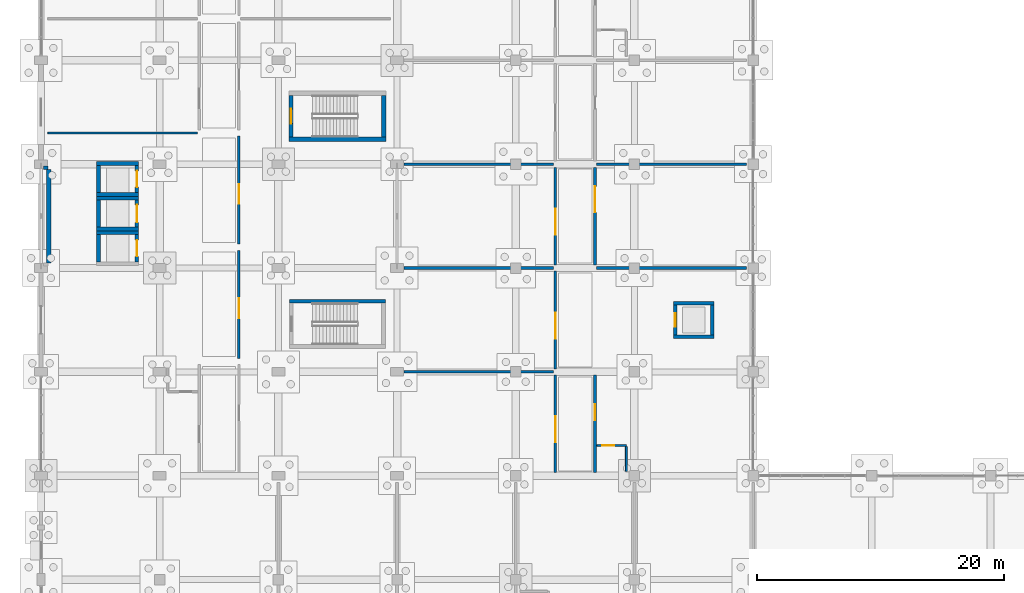
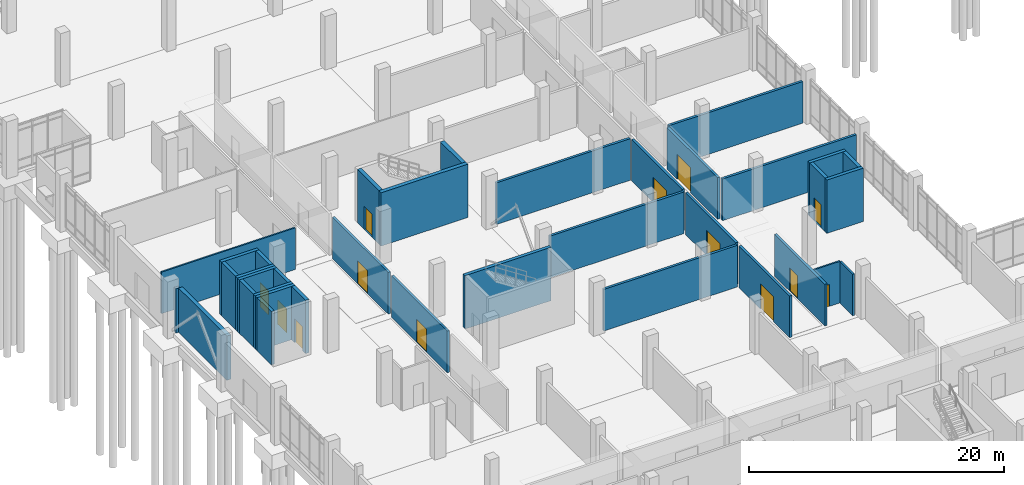
# One storey, part 104 of 136: 36 walls, 13 doors, 13 openings.
"""IFC4 building model written with IfcOpenShell, lengths in metres."""

from ifc_helpers import new_model, si_unit, direction, frame, frame_2d, origin, place, context, subcontext, project, spatial, rectangle, extrude, material, layer, layer_set, type_object, element, fill, save


model = new_model("IFC4")

# Units and contexts
model_context = context("Model", 3, precision=1e-05, world=origin(), true_north=direction((0.0, 1.0)))
body_context = subcontext(model_context, "Body", "Model", "MODEL_VIEW")
ifc_project = project(units=[si_unit("LENGTHUNIT", "METRE"), si_unit("AREAUNIT", "SQUARE_METRE"), si_unit("VOLUMEUNIT", "CUBIC_METRE"), si_unit("PLANEANGLEUNIT", "RADIAN"), si_unit("MASSUNIT", "GRAM", prefix="KILO")], contexts=[model_context])

# Site, building, storey
site_placement = place(None, origin())
site = spatial("IfcSite", under=ifc_project, at=site_placement, CompositionType="ELEMENT")
building_placement = place(site_placement, origin())
building = spatial("IfcBuilding", under=site, at=building_placement, Name="Oolite Switchyard Hospital", CompositionType="ELEMENT")
storey_placement = place(building_placement, origin())
storey = spatial("IfcBuildingStorey", under=building, at=storey_placement, Name="L00", CompositionType="ELEMENT", Elevation=0.0)

# Walls
ifc_material_1 = material(Name="Precast oolitic limestone architectural concrete C40/50", Category="masonry")
ifc_layer_1 = layer(ifc_material_1, 0.260009765625)
ifc_layer_set_1 = layer_set([ifc_layer_1], Name="WAL-EXT-260")
wall_type_1 = type_object("IfcWallType", Name="WAL-EXT-260", PredefinedType="SOLIDWALL", material=ifc_layer_set_1)
wall_1_placement = place(storey_placement, frame((0.199951171875, 58.52001953125, 0.0), z_axis=(0.0, 0.0, 1.0), x_axis=(1.0, 0.0, 0.0)))
element("IfcWall", 1, at=wall_1_placement, inside=storey, type_object=wall_type_1, Name="L00 Brace Alcove Cheek Wall 46", PredefinedType="SOLIDWALL", context=body_context, shape_type="SweptSolid", body=[
    extrude(rectangle(XDim=0.360107421875, YDim=0.260009765625, at=frame_2d((0.18017578125, 0.0))), origin(), (0.0, 0.0, 1.0), 4.239990234375),
])
ifc_layer_2 = layer(ifc_material_1, 0.360107421875)
ifc_layer_set_2 = layer_set([ifc_layer_2], Name="WAL-EXT-360")
wall_type_2 = type_object("IfcWallType", Name="WAL-EXT-360", PredefinedType="SOLIDWALL", material=ifc_layer_set_2)
wall_2_placement = place(storey_placement, frame((0.6201171875, 50.820068359375, 0.0), z_axis=(0.0, 0.0, 1.0), x_axis=(0.0, 1.0, 0.0)))
element("IfcWall", 2, at=wall_2_placement, inside=storey, type_object=wall_type_2, Name="L00 Exterior Spandrel Wall 47", PredefinedType="SOLIDWALL", context=body_context, shape_type="SweptSolid", body=[
    extrude(rectangle(XDim=7.559814453125, YDim=0.360107421875, at=frame_2d((3.77978515625, 0.0))), origin(), (0.0, 0.0, 1.0), 4.239990234375),
])
ifc_material_2 = material(Name="Moisture-resistant gypsum board on steel studs", Category="steel")
ifc_layer_3 = layer(ifc_material_2, 0.135009765625)
ifc_layer_set_3 = layer_set([ifc_layer_3], Name="WAL-PART-135")
wall_type_3 = type_object("IfcWallType", Name="WAL-PART-135", PredefinedType="PARTITIONING", material=ifc_layer_set_3)
wall_3_placement = place(storey_placement, frame((0.550048828125, 61.320068359375, 0.0), z_axis=(0.0, 0.0, 1.0), x_axis=(1.0, 0.0, 0.0)))
element("IfcWall", 3, at=wall_3_placement, inside=storey, type_object=wall_type_3, Name="L00 Interior Partition 93", PredefinedType="PARTITIONING", context=body_context, shape_type="SweptSolid", body=[
    extrude(rectangle(XDim=12.099853515625, YDim=0.135009765625, at=frame_2d((6.0498046875, 0.0))), origin(), (0.0, 0.0, 1.0), 3.97998046875),
])

# Wall, opening, door
ifc_layer_4 = layer(ifc_material_2, 0.14990234375)
ifc_layer_set_4 = layer_set([ifc_layer_4], Name="WAL-PART-150")
wall_type_4 = type_object("IfcWallType", Name="WAL-PART-150", PredefinedType="PARTITIONING", material=ifc_layer_set_4)
wall_4_placement = place(storey_placement, frame((44.949951171875, 36.050048828125, 0.0), z_axis=(0.0, 0.0, 1.0), x_axis=(1.0, 0.0, 0.0)))
wall_4 = element("IfcWall", 4, at=wall_4_placement, inside=storey, type_object=wall_type_4, Name="L00 Interior Partition 29", PredefinedType="PARTITIONING", context=body_context, shape_type="SweptSolid", body=[
    extrude(rectangle(XDim=2.400146484375, YDim=0.14990234375, at=frame_2d((1.2001953125, 0.0))), origin(), (0.0, 0.0, 1.0), 3.97998046875),
])
opening_1_placement = place(wall_4_placement, frame((0.449951171875, 0.0, 0.0)))
opening_1 = element("IfcOpeningElement", 5, at=opening_1_placement, cuts=wall_4, Name="Opening D-0021", PredefinedType="OPENING", context=body_context, shape_type="SweptSolid", body=[
    extrude(rectangle(XDim=0.949951171875, YDim=2.10009765625, at=frame_2d((0.47509765625, 1.050048828125))), frame((0.0, 0.0849609375, 0.0), z_axis=(0.0, -1.0, 0.0), x_axis=(1.0, 0.0, 0.0)), (0.0, 0.0, 1.0), 0.169921875),
])
ifc_material_3 = material(Name="Solid-core antimicrobial hardwood leaf in steel frame", Category="steel")
door_type_1 = type_object("IfcDoorType", Name="DR-BATH-095X210", OperationType="NOTDEFINED", PredefinedType="DOOR", material=ifc_material_3)
door_1_placement = place(opening_1_placement, origin())
door_1 = element("IfcDoor", 6, at=door_1_placement, inside=storey, type_object=door_type_1, Name="L00 Interior Door D-0021", OperationType="SINGLE_SWING_LEFT", OverallHeight=2.10009765625, OverallWidth=0.949951171875, PredefinedType="DOOR", context=body_context, shape_type="SweptSolid", body=[
    extrude(rectangle(XDim=0.949951171875, YDim=2.10009765625, at=frame_2d((0.47509765625, 1.050048828125))), frame((0.0, 0.02490234375, 0.0), z_axis=(0.0, -1.0, 0.0), x_axis=(1.0, 0.0, 0.0)), (0.0, 0.0, 1.0), 0.050048828125),
])
fill(opening_1, door_1)

# Wall
wall_5_placement = place(storey_placement, frame((47.35009765625, 33.949951171875, 0.0), z_axis=(0.0, 0.0, 1.0), x_axis=(0.0, 1.0, 0.0)))
element("IfcWall", 7, at=wall_5_placement, inside=storey, type_object=wall_type_4, Name="L00 Interior Partition 30", PredefinedType="PARTITIONING", context=body_context, shape_type="SweptSolid", body=[
    extrude(rectangle(XDim=2.0, YDim=0.14990234375, at=frame_2d((1.0, 0.0))), origin(), (0.0, 0.0, 1.0), 3.97998046875),
])

# Wall, opening, door
ifc_material_4 = material(Name="Precast concrete C40/50", Category="concrete")
ifc_layer_5 = layer(ifc_material_4, 0.219970703125)
ifc_layer_set_5 = layer_set([ifc_layer_5], Name="WAL-RAD-220")
wall_type_5 = type_object("IfcWallType", Name="WAL-RAD-220", PredefinedType="PARTITIONING", material=ifc_layer_set_5)
wall_6_placement = place(storey_placement, frame((41.60009765625, 33.85009765625, 0.0), z_axis=(0.0, 0.0, 1.0), x_axis=(0.0, 1.0, 0.0)))
wall_6 = element("IfcWall", 8, at=wall_6_placement, inside=storey, type_object=wall_type_5, Name="L00 Interior Partition 27", PredefinedType="PARTITIONING", context=body_context, shape_type="SweptSolid", body=[
    extrude(rectangle(XDim=7.89990234375, YDim=0.219970703125, at=frame_2d((3.949951171875, 0.0))), origin(), (0.0, 0.0, 1.0), 3.97998046875),
])
opening_2_placement = place(wall_6_placement, frame((2.449951171875, 0.0, 0.0)))
opening_2 = element("IfcOpeningElement", 9, at=opening_2_placement, cuts=wall_6, Name="Opening D-0019", PredefinedType="OPENING", context=body_context, shape_type="SweptSolid", body=[
    extrude(rectangle(XDim=2.10009765625, YDim=2.39990234375, at=frame_2d((1.050048828125, 1.199951171875))), frame((0.0, 0.1201171875, 0.0), z_axis=(0.0, -1.0, 0.0), x_axis=(1.0, 0.0, 0.0)), (0.0, 0.0, 1.0), 0.239990234375),
])
ifc_material_5 = material(Name="Hollow metal fire-rated steel door assembly", Category="steel")
door_type_2 = type_object("IfcDoorType", Name="DR-IMG-210X240", OperationType="NOTDEFINED", PredefinedType="DOOR", material=ifc_material_5)
door_2_placement = place(opening_2_placement, origin())
door_2 = element("IfcDoor", 10, at=door_2_placement, inside=storey, type_object=door_type_2, Name="L00 Interior Door D-0019", OperationType="DOUBLE_DOOR_SINGLE_SWING", OverallHeight=2.39990234375, OverallWidth=2.10009765625, PredefinedType="DOOR", context=body_context, shape_type="SweptSolid", body=[
    extrude(rectangle(XDim=2.10009765625, YDim=2.39990234375, at=frame_2d((1.050048828125, 1.199951171875))), frame((0.0, 0.02490234375, 0.0), z_axis=(0.0, -1.0, 0.0), x_axis=(1.0, 0.0, 0.0)), (0.0, 0.0, 1.0), 0.050048828125),
])
fill(opening_2, door_2)

wall_7_placement = place(storey_placement, frame((44.800048828125, 33.85009765625, 0.0), z_axis=(0.0, 0.0, 1.0), x_axis=(0.0, 1.0, 0.0)))
wall_7 = element("IfcWall", 11, at=wall_7_placement, inside=storey, type_object=wall_type_5, Name="L00 Interior Partition 28", PredefinedType="PARTITIONING", context=body_context, shape_type="SweptSolid", body=[
    extrude(rectangle(XDim=7.89990234375, YDim=0.219970703125, at=frame_2d((3.949951171875, 0.0))), origin(), (0.0, 0.0, 1.0), 3.97998046875),
])
opening_3_placement = place(wall_7_placement, frame((4.25, 0.0, 0.0)))
opening_3 = element("IfcOpeningElement", 12, at=opening_3_placement, cuts=wall_7, Name="Opening D-0020", PredefinedType="OPENING", context=body_context, shape_type="SweptSolid", body=[
    extrude(rectangle(XDim=1.300048828125, YDim=2.199951171875, at=frame_2d((0.64990234375, 1.10009765625))), frame((0.0, 0.1201171875, 0.0), z_axis=(0.0, -1.0, 0.0), x_axis=(1.0, 0.0, 0.0)), (0.0, 0.0, 1.0), 0.239990234375),
])
door_type_3 = type_object("IfcDoorType", Name="DR-WARD-130X220", OperationType="NOTDEFINED", PredefinedType="DOOR", material=ifc_material_3)
door_3_placement = place(opening_3_placement, origin())
door_3 = element("IfcDoor", 13, at=door_3_placement, inside=storey, type_object=door_type_3, Name="L00 Interior Door D-0020", OperationType="SINGLE_SWING_RIGHT", OverallHeight=2.199951171875, OverallWidth=1.300048828125, PredefinedType="DOOR", context=body_context, shape_type="SweptSolid", body=[
    extrude(rectangle(XDim=1.300048828125, YDim=2.199951171875, at=frame_2d((0.64990234375, 1.10009765625))), frame((0.0, 0.02490234375, 0.0), z_axis=(0.0, -1.0, 0.0), x_axis=(1.0, 0.0, 0.0)), (0.0, 0.0, 1.0), 0.050048828125),
])
fill(opening_3, door_3)

wall_8_placement = place(storey_placement, frame((41.60009765625, 42.25, 0.0), z_axis=(0.0, 0.0, 1.0), x_axis=(0.0, 1.0, 0.0)))
wall_8 = element("IfcWall", 14, at=wall_8_placement, inside=storey, type_object=wall_type_5, Name="L00 Interior Partition 31", PredefinedType="PARTITIONING", context=body_context, shape_type="SweptSolid", body=[
    extrude(rectangle(XDim=7.89990234375, YDim=0.219970703125, at=frame_2d((3.949951171875, 0.0))), origin(), (0.0, 0.0, 1.0), 3.97998046875),
])
opening_4_placement = place(wall_8_placement, frame((2.449951171875, 0.0, 0.0)))
opening_4 = element("IfcOpeningElement", 15, at=opening_4_placement, cuts=wall_8, Name="Opening D-0022", PredefinedType="OPENING", context=body_context, shape_type="SweptSolid", body=[
    extrude(rectangle(XDim=2.10009765625, YDim=2.39990234375, at=frame_2d((1.050048828125, 1.199951171875))), frame((0.0, 0.1201171875, 0.0), z_axis=(0.0, -1.0, 0.0), x_axis=(1.0, 0.0, 0.0)), (0.0, 0.0, 1.0), 0.239990234375),
])
door_4_placement = place(opening_4_placement, origin())
door_4 = element("IfcDoor", 16, at=door_4_placement, inside=storey, type_object=door_type_2, Name="L00 Interior Door D-0022", OperationType="DOUBLE_DOOR_SINGLE_SWING", OverallHeight=2.39990234375, OverallWidth=2.10009765625, PredefinedType="DOOR", context=body_context, shape_type="SweptSolid", body=[
    extrude(rectangle(XDim=2.10009765625, YDim=2.39990234375, at=frame_2d((1.050048828125, 1.199951171875))), frame((0.0, 0.02490234375, 0.0), z_axis=(0.0, -1.0, 0.0), x_axis=(1.0, 0.0, 0.0)), (0.0, 0.0, 1.0), 0.050048828125),
])
fill(opening_4, door_4)

# Wall
wall_9_placement = place(storey_placement, frame((29.35009765625, 42.0, 0.0), z_axis=(0.0, 0.0, 1.0), x_axis=(1.0, 0.0, 0.0)))
element("IfcWall", 17, at=wall_9_placement, inside=storey, type_object=wall_type_5, Name="L00 Interior Partition 32", PredefinedType="PARTITIONING", context=body_context, shape_type="SweptSolid", body=[
    extrude(rectangle(XDim=12.099853515625, YDim=0.219970703125, at=frame_2d((6.0498046875, 0.0))), origin(), (0.0, 0.0, 1.0), 3.97998046875),
])

# Wall, opening, door
wall_10_placement = place(storey_placement, frame((41.60009765625, 50.64990234375, 0.0), z_axis=(0.0, 0.0, 1.0), x_axis=(0.0, 1.0, 0.0)))
wall_10 = element("IfcWall", 18, at=wall_10_placement, inside=storey, type_object=wall_type_5, Name="L00 Interior Partition 33", PredefinedType="PARTITIONING", context=body_context, shape_type="SweptSolid", body=[
    extrude(rectangle(XDim=7.900146484375, YDim=0.219970703125, at=frame_2d((3.9501953125, 0.0))), origin(), (0.0, 0.0, 1.0), 3.97998046875),
])
opening_5_placement = place(wall_10_placement, frame((2.449951171875, 0.0, 0.0)))
opening_5 = element("IfcOpeningElement", 19, at=opening_5_placement, cuts=wall_10, Name="Opening D-0023", PredefinedType="OPENING", context=body_context, shape_type="SweptSolid", body=[
    extrude(rectangle(XDim=2.10009765625, YDim=2.39990234375, at=frame_2d((1.050048828125, 1.199951171875))), frame((0.0, 0.1201171875, 0.0), z_axis=(0.0, -1.0, 0.0), x_axis=(1.0, 0.0, 0.0)), (0.0, 0.0, 1.0), 0.239990234375),
])
door_5_placement = place(opening_5_placement, origin())
door_5 = element("IfcDoor", 20, at=door_5_placement, inside=storey, type_object=door_type_2, Name="L00 Interior Door D-0023", OperationType="DOUBLE_DOOR_SINGLE_SWING", OverallHeight=2.39990234375, OverallWidth=2.10009765625, PredefinedType="DOOR", context=body_context, shape_type="SweptSolid", body=[
    extrude(rectangle(XDim=2.10009765625, YDim=2.39990234375, at=frame_2d((1.050048828125, 1.199951171875))), frame((0.0, 0.02490234375, 0.0), z_axis=(0.0, -1.0, 0.0), x_axis=(1.0, 0.0, 0.0)), (0.0, 0.0, 1.0), 0.050048828125),
])
fill(opening_5, door_5)

# Wall
wall_11_placement = place(storey_placement, frame((29.35009765625, 50.39990234375, 0.0), z_axis=(0.0, 0.0, 1.0), x_axis=(1.0, 0.0, 0.0)))
element("IfcWall", 21, at=wall_11_placement, inside=storey, type_object=wall_type_5, Name="L00 Interior Partition 34", PredefinedType="PARTITIONING", context=body_context, shape_type="SweptSolid", body=[
    extrude(rectangle(XDim=12.099853515625, YDim=0.219970703125, at=frame_2d((6.0498046875, 0.0))), origin(), (0.0, 0.0, 1.0), 3.97998046875),
])

# Wall, opening, door
wall_12_placement = place(storey_placement, frame((44.800048828125, 50.64990234375, 0.0), z_axis=(0.0, 0.0, 1.0), x_axis=(0.0, 1.0, 0.0)))
wall_12 = element("IfcWall", 22, at=wall_12_placement, inside=storey, type_object=wall_type_5, Name="L00 Interior Partition 35", PredefinedType="PARTITIONING", context=body_context, shape_type="SweptSolid", body=[
    extrude(rectangle(XDim=7.900146484375, YDim=0.219970703125, at=frame_2d((3.9501953125, 0.0))), origin(), (0.0, 0.0, 1.0), 3.97998046875),
])
opening_6_placement = place(wall_12_placement, frame((4.25, 0.0, 0.0)))
opening_6 = element("IfcOpeningElement", 23, at=opening_6_placement, cuts=wall_12, Name="Opening D-0024", PredefinedType="OPENING", context=body_context, shape_type="SweptSolid", body=[
    extrude(rectangle(XDim=2.10009765625, YDim=2.39990234375, at=frame_2d((1.050048828125, 1.199951171875))), frame((0.0, 0.1201171875, 0.0), z_axis=(0.0, -1.0, 0.0), x_axis=(1.0, 0.0, 0.0)), (0.0, 0.0, 1.0), 0.239990234375),
])
door_6_placement = place(opening_6_placement, origin())
door_6 = element("IfcDoor", 24, at=door_6_placement, inside=storey, type_object=door_type_2, Name="L00 Interior Door D-0024", OperationType="DOUBLE_DOOR_SINGLE_SWING", OverallHeight=2.39990234375, OverallWidth=2.10009765625, PredefinedType="DOOR", context=body_context, shape_type="SweptSolid", body=[
    extrude(rectangle(XDim=2.10009765625, YDim=2.39990234375, at=frame_2d((1.050048828125, 1.199951171875))), frame((0.0, 0.02490234375, 0.0), z_axis=(0.0, -1.0, 0.0), x_axis=(1.0, 0.0, 0.0)), (0.0, 0.0, 1.0), 0.050048828125),
])
fill(opening_6, door_6)

# Walls
wall_13_placement = place(storey_placement, frame((44.949951171875, 50.39990234375, 0.0), z_axis=(0.0, 0.0, 1.0), x_axis=(1.0, 0.0, 0.0)))
element("IfcWall", 25, at=wall_13_placement, inside=storey, type_object=wall_type_5, Name="L00 Interior Partition 36", PredefinedType="PARTITIONING", context=body_context, shape_type="SweptSolid", body=[
    extrude(rectangle(XDim=12.10009765625, YDim=0.219970703125, at=frame_2d((6.050048828125, 0.0))), origin(), (0.0, 0.0, 1.0), 3.97998046875),
])
wall_14_placement = place(storey_placement, frame((29.35009765625, 58.800048828125, 0.0), z_axis=(0.0, 0.0, 1.0), x_axis=(1.0, 0.0, 0.0)))
element("IfcWall", 26, at=wall_14_placement, inside=storey, type_object=wall_type_5, Name="L00 Interior Partition 38", PredefinedType="PARTITIONING", context=body_context, shape_type="SweptSolid", body=[
    extrude(rectangle(XDim=12.099853515625, YDim=0.219970703125, at=frame_2d((6.0498046875, 0.0))), origin(), (0.0, 0.0, 1.0), 3.97998046875),
])
wall_15_placement = place(storey_placement, frame((44.949951171875, 58.800048828125, 0.0), z_axis=(0.0, 0.0, 1.0), x_axis=(1.0, 0.0, 0.0)))
element("IfcWall", 27, at=wall_15_placement, inside=storey, type_object=wall_type_5, Name="L00 Interior Partition 40", PredefinedType="PARTITIONING", context=body_context, shape_type="SweptSolid", body=[
    extrude(rectangle(XDim=12.10009765625, YDim=0.219970703125, at=frame_2d((6.050048828125, 0.0))), origin(), (0.0, 0.0, 1.0), 3.97998046875),
])
ifc_material_6 = material(Name="Concrete C50/60", Category="concrete")
ifc_layer_6 = layer(ifc_material_6, 0.300048828125)
ifc_layer_set_6 = layer_set([ifc_layer_6], Name="WAL-SHR-300")
wall_type_6 = type_object("IfcWallType", Name="WAL-SHR-300", PredefinedType="SHEAR", material=ifc_layer_set_6)
wall_16_placement = place(storey_placement, frame((27.85009765625, 47.7099609375, 0.0), z_axis=(0.0, 0.0, 1.0), x_axis=(-1.0, 0.0, 0.0)))
element("IfcWall", 28, at=wall_16_placement, inside=storey, type_object=wall_type_6, Name="L00 Core Shear Wall ST-01", PredefinedType="SHEAR", context=body_context, shape_type="SweptSolid", body=[
    extrude(rectangle(XDim=7.75, YDim=0.300048828125, at=frame_2d((3.875, 0.0))), origin(), (0.0, 0.0, 1.0), 5.10009765625),
])

# Wall, opening, door
wall_17_placement = place(storey_placement, frame((7.75, 50.89990234375, 0.0), z_axis=(0.0, 0.0, 1.0), x_axis=(0.0, 1.0, 0.0)))
wall_17 = element("IfcWall", 29, at=wall_17_placement, inside=storey, type_object=wall_type_6, Name="L00 Lift Shaft Shear Wall EL-05", PredefinedType="SHEAR", context=body_context, shape_type="SweptSolid", body=[
    extrude(rectangle(XDim=2.2001953125, YDim=0.300048828125, at=frame_2d((1.10009765625, 0.0))), origin(), (0.0, 0.0, 1.0), 5.10009765625),
])
opening_7_placement = place(wall_17_placement, frame((0.449951171875, 0.0, 0.0)))
opening_7 = element("IfcOpeningElement", 30, at=opening_7_placement, cuts=wall_17, Name="Opening LD-035", PredefinedType="OPENING", context=body_context, shape_type="SweptSolid", body=[
    extrude(rectangle(XDim=1.300048828125, YDim=2.300048828125, at=frame_2d((0.64990234375, 1.14990234375))), frame((0.0, 0.16015625, 0.0), z_axis=(0.0, -1.0, 0.0), x_axis=(1.0, 0.0, 0.0)), (0.0, 0.0, 1.0), 0.320068359375),
])
ifc_material_7 = material(Name="Brushed stainless steel fire-rated sliding landing door", Category="steel")
door_type_4 = type_object("IfcDoorType", Name="DR-LD-130X230", OperationType="NOTDEFINED", PredefinedType="DOOR", material=ifc_material_7)
door_7_placement = place(opening_7_placement, origin())
door_7 = element("IfcDoor", 31, at=door_7_placement, inside=storey, type_object=door_type_4, Name="L00 EL-05 Lift Landing Door LD-035", OperationType="SLIDING_TO_LEFT", OverallHeight=2.300048828125, OverallWidth=1.300048828125, PredefinedType="DOOR", context=body_context, shape_type="SweptSolid", body=[
    extrude(rectangle(XDim=1.300048828125, YDim=2.300048828125, at=frame_2d((0.64990234375, 1.14990234375))), frame((0.0, 0.02490234375, 0.0), z_axis=(0.0, -1.0, 0.0), x_axis=(1.0, 0.0, 0.0)), (0.0, 0.0, 1.0), 0.050048828125),
])
fill(opening_7, door_7)

# Walls
wall_18_placement = place(storey_placement, frame((7.89990234375, 53.25, 0.0), z_axis=(0.0, 0.0, 1.0), x_axis=(-1.0, 0.0, 0.0)))
element("IfcWall", 32, at=wall_18_placement, inside=storey, type_object=wall_type_6, Name="L00 Lift Shaft Shear Wall EL-05", PredefinedType="SHEAR", context=body_context, shape_type="SweptSolid", body=[
    extrude(rectangle(XDim=3.39990234375, YDim=0.300048828125, at=frame_2d((1.699951171875, 0.0))), origin(), (0.0, 0.0, 1.0), 5.10009765625),
])
wall_19_placement = place(storey_placement, frame((4.64990234375, 53.10009765625, 0.0), z_axis=(0.0, 0.0, 1.0), x_axis=(0.0, -1.0, 0.0)))
element("IfcWall", 33, at=wall_19_placement, inside=storey, type_object=wall_type_6, Name="L00 Lift Shaft Shear Wall EL-05", PredefinedType="SHEAR", context=body_context, shape_type="SweptSolid", body=[
    extrude(rectangle(XDim=2.2001953125, YDim=0.300048828125, at=frame_2d((1.10009765625, 0.0))), origin(), (0.0, 0.0, 1.0), 5.10009765625),
])
wall_20_placement = place(storey_placement, frame((4.5, 53.550048828125, 0.0), z_axis=(0.0, 0.0, 1.0), x_axis=(1.0, 0.0, 0.0)))
element("IfcWall", 34, at=wall_20_placement, inside=storey, type_object=wall_type_6, Name="L00 Lift Shaft Shear Wall EL-06", PredefinedType="SHEAR", context=body_context, shape_type="SweptSolid", body=[
    extrude(rectangle(XDim=3.39990234375, YDim=0.300048828125, at=frame_2d((1.699951171875, 0.0))), origin(), (0.0, 0.0, 1.0), 5.10009765625),
])

# Wall, opening, door
wall_21_placement = place(storey_placement, frame((7.75, 53.699951171875, 0.0), z_axis=(0.0, 0.0, 1.0), x_axis=(0.0, 1.0, 0.0)))
wall_21 = element("IfcWall", 35, at=wall_21_placement, inside=storey, type_object=wall_type_6, Name="L00 Lift Shaft Shear Wall EL-06", PredefinedType="SHEAR", context=body_context, shape_type="SweptSolid", body=[
    extrude(rectangle(XDim=2.199951171875, YDim=0.300048828125, at=frame_2d((1.10009765625, 0.0))), origin(), (0.0, 0.0, 1.0), 5.10009765625),
])
opening_8_placement = place(wall_21_placement, frame((0.39990234375, 0.0, 0.0)))
opening_8 = element("IfcOpeningElement", 36, at=opening_8_placement, cuts=wall_21, Name="Opening LD-042", PredefinedType="OPENING", context=body_context, shape_type="SweptSolid", body=[
    extrude(rectangle(XDim=1.39990234375, YDim=2.300048828125, at=frame_2d((0.699951171875, 1.14990234375))), frame((0.0, 0.16015625, 0.0), z_axis=(0.0, -1.0, 0.0), x_axis=(1.0, 0.0, 0.0)), (0.0, 0.0, 1.0), 0.320068359375),
])
door_type_5 = type_object("IfcDoorType", Name="DR-LD-140X230", OperationType="NOTDEFINED", PredefinedType="DOOR", material=ifc_material_7)
door_8_placement = place(opening_8_placement, origin())
door_8 = element("IfcDoor", 37, at=door_8_placement, inside=storey, type_object=door_type_5, Name="L00 EL-06 Lift Landing Door LD-042", OperationType="SLIDING_TO_RIGHT", OverallHeight=2.300048828125, OverallWidth=1.39990234375, PredefinedType="DOOR", context=body_context, shape_type="SweptSolid", body=[
    extrude(rectangle(XDim=1.39990234375, YDim=2.300048828125, at=frame_2d((0.699951171875, 1.14990234375))), frame((0.0, 0.02490234375, 0.0), z_axis=(0.0, -1.0, 0.0), x_axis=(1.0, 0.0, 0.0)), (0.0, 0.0, 1.0), 0.050048828125),
])
fill(opening_8, door_8)

# Walls
wall_22_placement = place(storey_placement, frame((7.89990234375, 56.050048828125, 0.0), z_axis=(0.0, 0.0, 1.0), x_axis=(-1.0, 0.0, 0.0)))
element("IfcWall", 38, at=wall_22_placement, inside=storey, type_object=wall_type_6, Name="L00 Lift Shaft Shear Wall EL-06", PredefinedType="SHEAR", context=body_context, shape_type="SweptSolid", body=[
    extrude(rectangle(XDim=3.39990234375, YDim=0.300048828125, at=frame_2d((1.699951171875, 0.0))), origin(), (0.0, 0.0, 1.0), 5.10009765625),
])
wall_23_placement = place(storey_placement, frame((4.64990234375, 55.89990234375, 0.0), z_axis=(0.0, 0.0, 1.0), x_axis=(0.0, -1.0, 0.0)))
element("IfcWall", 39, at=wall_23_placement, inside=storey, type_object=wall_type_6, Name="L00 Lift Shaft Shear Wall EL-06", PredefinedType="SHEAR", context=body_context, shape_type="SweptSolid", body=[
    extrude(rectangle(XDim=2.199951171875, YDim=0.300048828125, at=frame_2d((1.10009765625, 0.0))), origin(), (0.0, 0.0, 1.0), 5.10009765625),
])
wall_24_placement = place(storey_placement, frame((4.5, 56.35009765625, 0.0), z_axis=(0.0, 0.0, 1.0), x_axis=(1.0, 0.0, 0.0)))
element("IfcWall", 40, at=wall_24_placement, inside=storey, type_object=wall_type_6, Name="L00 Lift Shaft Shear Wall EL-07", PredefinedType="SHEAR", context=body_context, shape_type="SweptSolid", body=[
    extrude(rectangle(XDim=3.39990234375, YDim=0.300048828125, at=frame_2d((1.699951171875, 0.0))), origin(), (0.0, 0.0, 1.0), 5.10009765625),
])

# Wall, opening, door
wall_25_placement = place(storey_placement, frame((7.75, 56.5, 0.0), z_axis=(0.0, 0.0, 1.0), x_axis=(0.0, 1.0, 0.0)))
wall_25 = element("IfcWall", 41, at=wall_25_placement, inside=storey, type_object=wall_type_6, Name="L00 Lift Shaft Shear Wall EL-07", PredefinedType="SHEAR", context=body_context, shape_type="SweptSolid", body=[
    extrude(rectangle(XDim=2.199951171875, YDim=0.300048828125, at=frame_2d((1.10009765625, 0.0))), origin(), (0.0, 0.0, 1.0), 5.10009765625),
])
opening_9_placement = place(wall_25_placement, frame((0.449951171875, 0.0, 0.0)))
opening_9 = element("IfcOpeningElement", 42, at=opening_9_placement, cuts=wall_25, Name="Opening LD-049", PredefinedType="OPENING", context=body_context, shape_type="SweptSolid", body=[
    extrude(rectangle(XDim=1.300048828125, YDim=2.300048828125, at=frame_2d((0.64990234375, 1.14990234375))), frame((0.0, 0.16015625, 0.0), z_axis=(0.0, -1.0, 0.0), x_axis=(1.0, 0.0, 0.0)), (0.0, 0.0, 1.0), 0.320068359375),
])
door_9_placement = place(opening_9_placement, origin())
door_9 = element("IfcDoor", 43, at=door_9_placement, inside=storey, type_object=door_type_4, Name="L00 EL-07 Lift Landing Door LD-049", OperationType="SLIDING_TO_LEFT", OverallHeight=2.300048828125, OverallWidth=1.300048828125, PredefinedType="DOOR", context=body_context, shape_type="SweptSolid", body=[
    extrude(rectangle(XDim=1.300048828125, YDim=2.300048828125, at=frame_2d((0.64990234375, 1.14990234375))), frame((0.0, 0.02490234375, 0.0), z_axis=(0.0, -1.0, 0.0), x_axis=(1.0, 0.0, 0.0)), (0.0, 0.0, 1.0), 0.050048828125),
])
fill(opening_9, door_9)

# Walls
wall_26_placement = place(storey_placement, frame((7.89990234375, 58.85009765625, 0.0), z_axis=(0.0, 0.0, 1.0), x_axis=(-1.0, 0.0, 0.0)))
element("IfcWall", 44, at=wall_26_placement, inside=storey, type_object=wall_type_6, Name="L00 Lift Shaft Shear Wall EL-07", PredefinedType="SHEAR", context=body_context, shape_type="SweptSolid", body=[
    extrude(rectangle(XDim=3.39990234375, YDim=0.300048828125, at=frame_2d((1.699951171875, 0.0))), origin(), (0.0, 0.0, 1.0), 5.10009765625),
])
wall_27_placement = place(storey_placement, frame((4.64990234375, 58.699951171875, 0.0), z_axis=(0.0, 0.0, 1.0), x_axis=(0.0, -1.0, 0.0)))
element("IfcWall", 45, at=wall_27_placement, inside=storey, type_object=wall_type_6, Name="L00 Lift Shaft Shear Wall EL-07", PredefinedType="SHEAR", context=body_context, shape_type="SweptSolid", body=[
    extrude(rectangle(XDim=2.199951171875, YDim=0.300048828125, at=frame_2d((1.10009765625, 0.0))), origin(), (0.0, 0.0, 1.0), 5.10009765625),
])
wall_28_placement = place(storey_placement, frame((51.14990234375, 44.85009765625, 0.0), z_axis=(0.0, 0.0, 1.0), x_axis=(1.0, 0.0, 0.0)))
element("IfcWall", 46, at=wall_28_placement, inside=storey, type_object=wall_type_6, Name="L00 Lift Shaft Shear Wall EL-12", PredefinedType="SHEAR", context=body_context, shape_type="SweptSolid", body=[
    extrude(rectangle(XDim=3.300048828125, YDim=0.300048828125, at=frame_2d((1.64990234375, 0.0))), origin(), (0.0, 0.0, 1.0), 5.10009765625),
])
wall_29_placement = place(storey_placement, frame((54.300048828125, 45.0, 0.0), z_axis=(0.0, 0.0, 1.0), x_axis=(0.0, 1.0, 0.0)))
element("IfcWall", 47, at=wall_29_placement, inside=storey, type_object=wall_type_6, Name="L00 Lift Shaft Shear Wall EL-12", PredefinedType="SHEAR", context=body_context, shape_type="SweptSolid", body=[
    extrude(rectangle(XDim=2.39990234375, YDim=0.300048828125, at=frame_2d((1.199951171875, 0.0))), origin(), (0.0, 0.0, 1.0), 5.10009765625),
])
wall_30_placement = place(storey_placement, frame((54.449951171875, 47.550048828125, 0.0), z_axis=(0.0, 0.0, 1.0), x_axis=(-1.0, 0.0, 0.0)))
element("IfcWall", 48, at=wall_30_placement, inside=storey, type_object=wall_type_6, Name="L00 Lift Shaft Shear Wall EL-12", PredefinedType="SHEAR", context=body_context, shape_type="SweptSolid", body=[
    extrude(rectangle(XDim=3.300048828125, YDim=0.300048828125, at=frame_2d((1.64990234375, 0.0))), origin(), (0.0, 0.0, 1.0), 5.10009765625),
])

# Wall, opening, door
wall_31_placement = place(storey_placement, frame((51.300048828125, 47.39990234375, 0.0), z_axis=(0.0, 0.0, 1.0), x_axis=(0.0, -1.0, 0.0)))
wall_31 = element("IfcWall", 49, at=wall_31_placement, inside=storey, type_object=wall_type_6, Name="L00 Lift Shaft Shear Wall EL-12", PredefinedType="SHEAR", context=body_context, shape_type="SweptSolid", body=[
    extrude(rectangle(XDim=2.39990234375, YDim=0.300048828125, at=frame_2d((1.199951171875, 0.0))), origin(), (0.0, 0.0, 1.0), 5.10009765625),
])
opening_10_placement = place(wall_31_placement, frame((0.64990234375, 0.0, 0.0)))
opening_10 = element("IfcOpeningElement", 50, at=opening_10_placement, cuts=wall_31, Name="Opening LD-073", PredefinedType="OPENING", context=body_context, shape_type="SweptSolid", body=[
    extrude(rectangle(XDim=1.10009765625, YDim=2.199951171875, at=frame_2d((0.550048828125, 1.10009765625))), frame((0.0, 0.16015625, 0.0), z_axis=(0.0, -1.0, 0.0), x_axis=(1.0, 0.0, 0.0)), (0.0, 0.0, 1.0), 0.320068359375),
])
door_type_6 = type_object("IfcDoorType", Name="DR-LD-110X220", OperationType="NOTDEFINED", PredefinedType="DOOR", material=ifc_material_7)
door_10_placement = place(opening_10_placement, origin())
door_10 = element("IfcDoor", 51, at=door_10_placement, inside=storey, type_object=door_type_6, Name="L00 EL-12 Lift Landing Door LD-073", OperationType="SLIDING_TO_LEFT", OverallHeight=2.199951171875, OverallWidth=1.10009765625, PredefinedType="DOOR", context=body_context, shape_type="SweptSolid", body=[
    extrude(rectangle(XDim=1.10009765625, YDim=2.199951171875, at=frame_2d((0.550048828125, 1.10009765625))), frame((0.0, 0.02490234375, 0.0), z_axis=(0.0, -1.0, 0.0), x_axis=(1.0, 0.0, 0.0)), (0.0, 0.0, 1.0), 0.050048828125),
])
fill(opening_10, door_10)

# Walls
ifc_layer_7 = layer(ifc_material_6, 0.35009765625)
ifc_layer_set_7 = layer_set([ifc_layer_7], Name="WAL-SHR-350")
wall_type_7 = type_object("IfcWallType", Name="WAL-SHR-350", PredefinedType="SHEAR", material=ifc_layer_set_7)
wall_32_placement = place(storey_placement, frame((20.050048828125, 60.824951171875, 0.0), z_axis=(0.0, 0.0, 1.0), x_axis=(1.0, 0.0, 0.0)))
element("IfcWall", 52, at=wall_32_placement, inside=storey, type_object=wall_type_7, Name="L00 Core Shear Wall ST-02", PredefinedType="SHEAR", context=body_context, shape_type="SweptSolid", body=[
    extrude(rectangle(XDim=7.849853515625, YDim=0.35009765625, at=frame_2d((3.9248046875, 0.0))), origin(), (0.0, 0.0, 1.0), 5.10009765625),
])
wall_33_placement = place(storey_placement, frame((27.72509765625, 61.0, 0.0), z_axis=(0.0, 0.0, 1.0), x_axis=(0.0, 1.0, 0.0)))
element("IfcWall", 53, at=wall_33_placement, inside=storey, type_object=wall_type_7, Name="L00 Core Shear Wall ST-02", PredefinedType="SHEAR", context=body_context, shape_type="SweptSolid", body=[
    extrude(rectangle(XDim=3.360107421875, YDim=0.35009765625, at=frame_2d((1.68017578125, 0.0))), origin(), (0.0, 0.0, 1.0), 5.10009765625),
])

# Wall, opening, door
wall_34_placement = place(storey_placement, frame((20.22509765625, 64.360107421875, 0.0), z_axis=(0.0, 0.0, 1.0), x_axis=(0.0, -1.0, 0.0)))
wall_34 = element("IfcWall", 54, at=wall_34_placement, inside=storey, type_object=wall_type_7, Name="L00 Core Shear Wall ST-02", PredefinedType="SHEAR", context=body_context, shape_type="SweptSolid", body=[
    extrude(rectangle(XDim=3.360107421875, YDim=0.35009765625, at=frame_2d((1.68017578125, 0.0))), origin(), (0.0, 0.0, 1.0), 5.10009765625),
])
opening_11_placement = place(wall_34_placement, frame((1.080078125, 0.0, 0.0)))
opening_11 = element("IfcOpeningElement", 55, at=opening_11_placement, cuts=wall_34, Name="Opening SD-008", PredefinedType="OPENING", context=body_context, shape_type="SweptSolid", body=[
    extrude(rectangle(XDim=1.199951171875, YDim=2.199951171875, at=frame_2d((0.60009765625, 1.10009765625))), frame((0.0, 0.18505859375, 0.0), z_axis=(0.0, -1.0, 0.0), x_axis=(1.0, 0.0, 0.0)), (0.0, 0.0, 1.0), 0.3701171875),
])
door_type_7 = type_object("IfcDoorType", Name="DR-STR-120X220", OperationType="NOTDEFINED", PredefinedType="DOOR", material=ifc_material_5)
door_11_placement = place(opening_11_placement, origin())
door_11 = element("IfcDoor", 56, at=door_11_placement, inside=storey, type_object=door_type_7, Name="L00 ST-02 Exit Stair Door SD-008", OperationType="SINGLE_SWING_RIGHT", OverallHeight=2.199951171875, OverallWidth=1.199951171875, PredefinedType="DOOR", context=body_context, shape_type="SweptSolid", body=[
    extrude(rectangle(XDim=1.199951171875, YDim=2.199951171875, at=frame_2d((0.60009765625, 1.10009765625))), frame((0.0, 0.02490234375, 0.0), z_axis=(0.0, -1.0, 0.0), x_axis=(1.0, 0.0, 0.0)), (0.0, 0.0, 1.0), 0.050048828125),
])
fill(opening_11, door_11)

ifc_layer_8 = layer(ifc_material_2, 0.199951171875)
ifc_layer_set_8 = layer_set([ifc_layer_8], Name="WAL-SMK-200")
wall_type_8 = type_object("IfcWallType", Name="WAL-SMK-200", PredefinedType="PARTITIONING", material=ifc_layer_set_8)
wall_35_placement = place(storey_placement, frame((16.0, 43.090087890625, 0.0), z_axis=(0.0, 0.0, 1.0), x_axis=(0.0, 1.0, 0.0)))
wall_35 = element("IfcWall", 57, at=wall_35_placement, inside=storey, type_object=wall_type_8, Name="L00 Interior Partition 90", PredefinedType="PARTITIONING", context=body_context, shape_type="SweptSolid", body=[
    extrude(rectangle(XDim=8.739990234375, YDim=0.199951171875, at=frame_2d((4.3701171875, 0.0))), origin(), (0.0, 0.0, 1.0), 3.97998046875),
])
opening_12_placement = place(wall_35_placement, frame((3.25, 0.0, 0.0)))
opening_12 = element("IfcOpeningElement", 58, at=opening_12_placement, cuts=wall_35, Name="Opening D-0056", PredefinedType="OPENING", context=body_context, shape_type="SweptSolid", body=[
    extrude(rectangle(XDim=1.60009765625, YDim=2.199951171875, at=frame_2d((0.800048828125, 1.10009765625))), frame((0.0, 0.10986328125, 0.0), z_axis=(0.0, -1.0, 0.0), x_axis=(1.0, 0.0, 0.0)), (0.0, 0.0, 1.0), 0.219970703125),
])
door_type_8 = type_object("IfcDoorType", Name="DR-DBL-160X220", OperationType="NOTDEFINED", PredefinedType="DOOR", material=ifc_material_5)
door_12_placement = place(opening_12_placement, origin())
door_12 = element("IfcDoor", 59, at=door_12_placement, inside=storey, type_object=door_type_8, Name="L00 Interior Door D-0056", OperationType="DOUBLE_DOOR_SINGLE_SWING", OverallHeight=2.199951171875, OverallWidth=1.60009765625, PredefinedType="DOOR", context=body_context, shape_type="SweptSolid", body=[
    extrude(rectangle(XDim=1.60009765625, YDim=2.199951171875, at=frame_2d((0.800048828125, 1.10009765625))), frame((0.0, 0.02490234375, 0.0), z_axis=(0.0, -1.0, 0.0), x_axis=(1.0, 0.0, 0.0)), (0.0, 0.0, 1.0), 0.050048828125),
])
fill(opening_12, door_12)

wall_36_placement = place(storey_placement, frame((16.0, 52.330078125, 0.0), z_axis=(0.0, 0.0, 1.0), x_axis=(0.0, 1.0, 0.0)))
wall_36 = element("IfcWall", 60, at=wall_36_placement, inside=storey, type_object=wall_type_8, Name="L00 Interior Partition 91", PredefinedType="PARTITIONING", context=body_context, shape_type="SweptSolid", body=[
    extrude(rectangle(XDim=8.739990234375, YDim=0.199951171875, at=frame_2d((4.3701171875, 0.0))), origin(), (0.0, 0.0, 1.0), 3.97998046875),
])
opening_13_placement = place(wall_36_placement, frame((3.25, 0.0, 0.0)))
opening_13 = element("IfcOpeningElement", 61, at=opening_13_placement, cuts=wall_36, Name="Opening D-0057", PredefinedType="OPENING", context=body_context, shape_type="SweptSolid", body=[
    extrude(rectangle(XDim=1.60009765625, YDim=2.199951171875, at=frame_2d((0.800048828125, 1.10009765625))), frame((0.0, 0.10986328125, 0.0), z_axis=(0.0, -1.0, 0.0), x_axis=(1.0, 0.0, 0.0)), (0.0, 0.0, 1.0), 0.219970703125),
])
door_13_placement = place(opening_13_placement, origin())
door_13 = element("IfcDoor", 62, at=door_13_placement, inside=storey, type_object=door_type_8, Name="L00 Interior Door D-0057", OperationType="DOUBLE_DOOR_SINGLE_SWING", OverallHeight=2.199951171875, OverallWidth=1.60009765625, PredefinedType="DOOR", context=body_context, shape_type="SweptSolid", body=[
    extrude(rectangle(XDim=1.60009765625, YDim=2.199951171875, at=frame_2d((0.800048828125, 1.10009765625))), frame((0.0, 0.02490234375, 0.0), z_axis=(0.0, -1.0, 0.0), x_axis=(1.0, 0.0, 0.0)), (0.0, 0.0, 1.0), 0.050048828125),
])
fill(opening_13, door_13)

save(model, "model.ifc")
